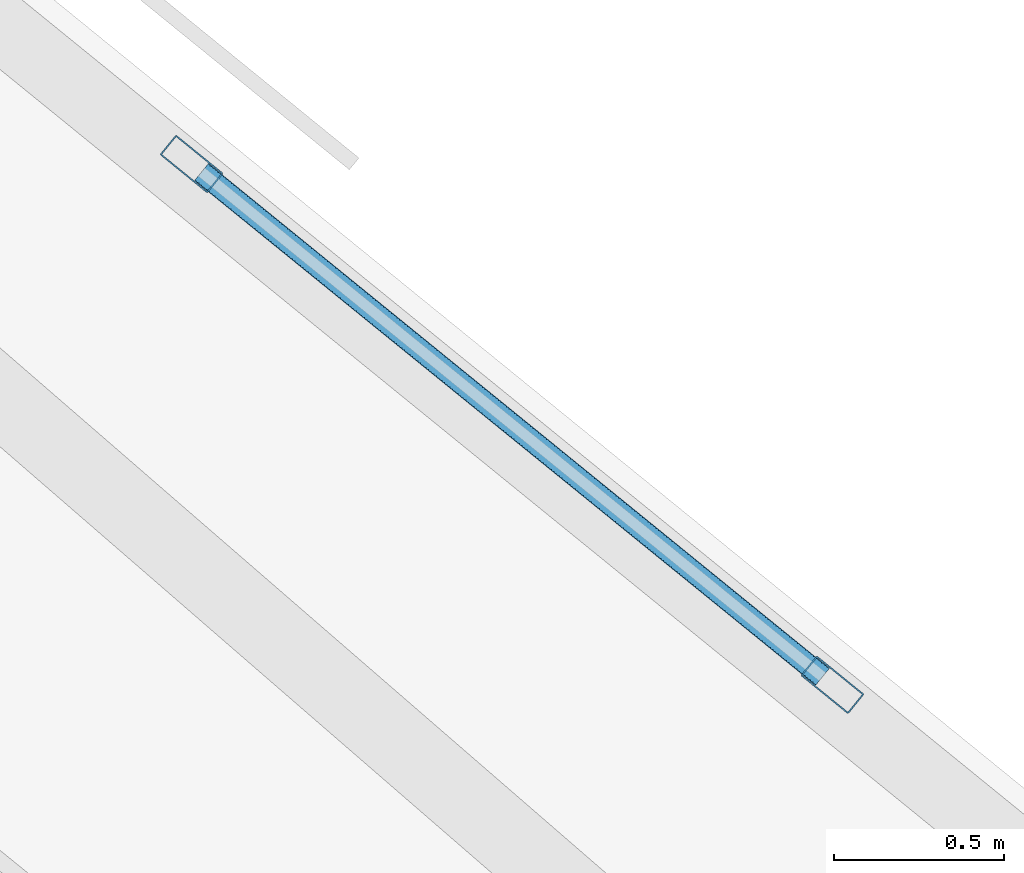
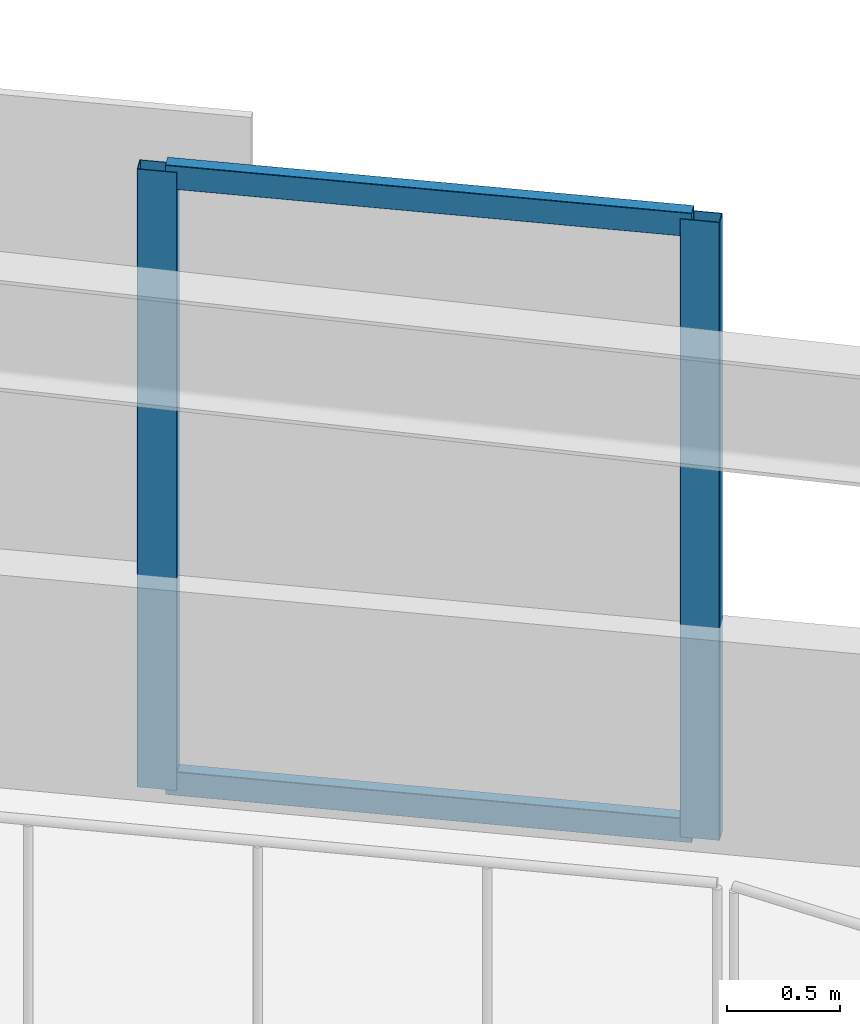
# One storey, part 2 of 17: 4 members, 1 element without a shape of its own.
"""IFC4 building model written with IfcOpenShell, lengths in metres."""

from ifc_helpers import new_model, si_unit, direction, frame, origin, origin_2d, place, context, subcontext, project, spatial, hollow_rectangle, extrude, material, material_profile, profile_set, type_object, element, aggregate, save


model = new_model("IFC4")

# Units and contexts
model_context = context("Model", 3, precision=1e-05, world=origin(), true_north=direction((0.0, 1.0)))
body_context = subcontext(model_context, "Body", "Model", "MODEL_VIEW")
ifc_project = project(units=[si_unit("LENGTHUNIT", "METRE"), si_unit("AREAUNIT", "SQUARE_METRE"), si_unit("VOLUMEUNIT", "CUBIC_METRE"), si_unit("PLANEANGLEUNIT", "RADIAN"), si_unit("MASSUNIT", "GRAM", prefix="KILO")], contexts=[model_context])

# Site, building, storey
site_placement = place(None, origin())
site = spatial("IfcSite", under=ifc_project, at=site_placement, CompositionType="ELEMENT")
building_placement = place(site_placement, origin())
building = spatial("IfcBuilding", under=site, at=building_placement, Name="Narakoshi Arena Tower", CompositionType="ELEMENT")
storey_placement = place(building_placement, frame((0.0, 0.0, 33.89990234375)))
storey = spatial("IfcBuildingStorey", under=building, at=storey_placement, Name="L08", CompositionType="ELEMENT", Elevation=33.89990234375)

# Curtain wall, members
ifc_material = material(Name="Anodised bronze aluminium 6063-T6", Category="aluminium")
curtain_wall_type = type_object("IfcCurtainWallType", Name="CW-HYP-LOW", PredefinedType="NOTDEFINED", material=ifc_material)
curtain_wall_placement = place(storey_placement, origin())
curtain_wall = element("IfcCurtainWall", 1, at=curtain_wall_placement, inside=storey, type_object=curtain_wall_type, Name="L08 Folded Hypotenuse Curtain Wall 2-1", PredefinedType="NOTDEFINED")
ifc_material_profile_1 = material_profile(ifc_material, hollow_rectangle(XDim=0.074951171875, YDim=0.179931640625, WallThickness=0.00390625, OuterFilletRadius=0.0048828125, at=origin_2d()), Name="MUL180x75x4")
ifc_profile_set_1 = profile_set([ifc_material_profile_1], Name="Anodised bronze aluminium 6063-T6")
member_type_1 = type_object("IfcMemberType", Name="MEM-MUL-180", PredefinedType="MULLION", material=ifc_profile_set_1)
member_1_placement = place(storey_placement, frame((93.34521484375, 59.196533203125, 0.0), z_axis=(0.0, 0.0, 1.0), x_axis=(-0.63072316495, -0.776007918256, 0.0)))
member_1 = element("IfcMember", 2, at=member_1_placement, type_object=member_type_1, Name="CW-01 mullion 1", PredefinedType="MULLION", context=body_context, shape_type="SweptSolid", body=[
    extrude(hollow_rectangle(XDim=0.074951171875, YDim=0.179931640625, WallThickness=0.00390625, OuterFilletRadius=0.0048828125, at=origin_2d()), origin(), (0.0, 0.0, 1.0), 3.340087890625),
])
member_2_placement = place(storey_placement, frame((91.45654296875, 60.731689453125, 0.0), z_axis=(0.0, 0.0, 1.0), x_axis=(-0.63072316495, -0.776007918256, 0.0)))
member_2 = element("IfcMember", 3, at=member_2_placement, type_object=member_type_1, Name="CW-01 mullion 2", PredefinedType="MULLION", context=body_context, shape_type="SweptSolid", body=[
    extrude(hollow_rectangle(XDim=0.074951171875, YDim=0.179931640625, WallThickness=0.00390625, OuterFilletRadius=0.0048828125, at=origin_2d()), origin(), (0.0, 0.0, 1.0), 3.340087890625),
])
ifc_material_profile_2 = material_profile(ifc_material, hollow_rectangle(XDim=0.06494140625, YDim=0.1298828125, WallThickness=0.00390625, OuterFilletRadius=0.0048828125, at=origin_2d()), Name="TRN130x65x4")
ifc_profile_set_2 = profile_set([ifc_material_profile_2], Name="Anodised bronze aluminium 6063-T6")
member_type_2 = type_object("IfcMemberType", Name="MEM-TRN-130", PredefinedType="USERDEFINED", material=ifc_profile_set_2)
member_3_placement = place(storey_placement, frame((93.316162109375, 59.22021484375, 0.03271484375), z_axis=(-0.776019017778, 0.630709508448, 0.0), x_axis=(-0.630709508448, -0.776019017778, 0.0)))
member_3 = element("IfcMember", 4, at=member_3_placement, type_object=member_type_2, Name="CW-01 transom 1.1", ObjectType="TRANSOM", PredefinedType="USERDEFINED", context=body_context, shape_type="SweptSolid", body=[
    extrude(hollow_rectangle(XDim=0.06494140625, YDim=0.1298828125, WallThickness=0.00390625, OuterFilletRadius=0.0048828125, at=origin_2d()), origin(), (0.0, 0.0, 1.0), 2.35888671875),
])
member_4_placement = place(storey_placement, frame((93.316162109375, 59.22021484375, 3.3076171875), z_axis=(-0.776019017778, 0.630709508448, 0.0), x_axis=(-0.630709508448, -0.776019017778, 0.0)))
member_4 = element("IfcMember", 5, at=member_4_placement, type_object=member_type_2, Name="CW-01 transom 1.2", ObjectType="TRANSOM", PredefinedType="USERDEFINED", context=body_context, shape_type="SweptSolid", body=[
    extrude(hollow_rectangle(XDim=0.06494140625, YDim=0.1298828125, WallThickness=0.00390625, OuterFilletRadius=0.0048828125, at=origin_2d()), origin(), (0.0, 0.0, 1.0), 2.35888671875),
])
aggregate(curtain_wall, [member_1, member_2, member_3, member_4])

save(model, "model.ifc")
